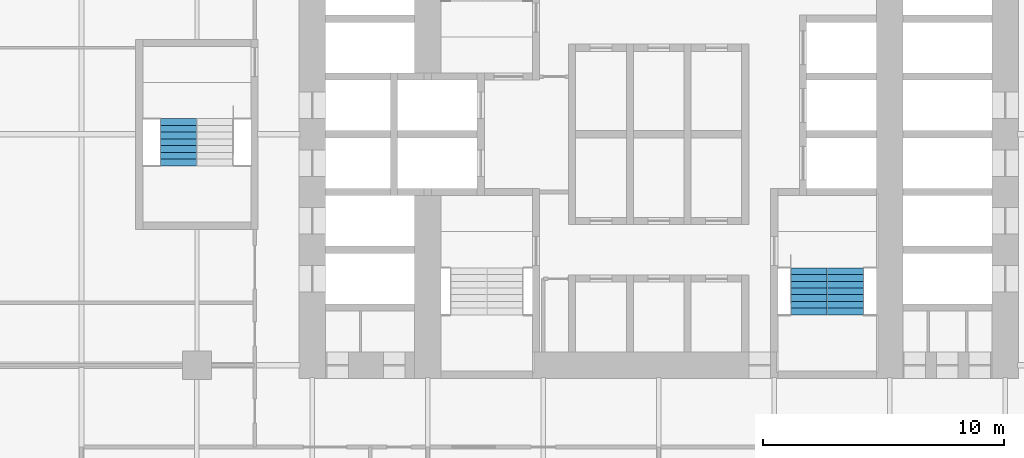
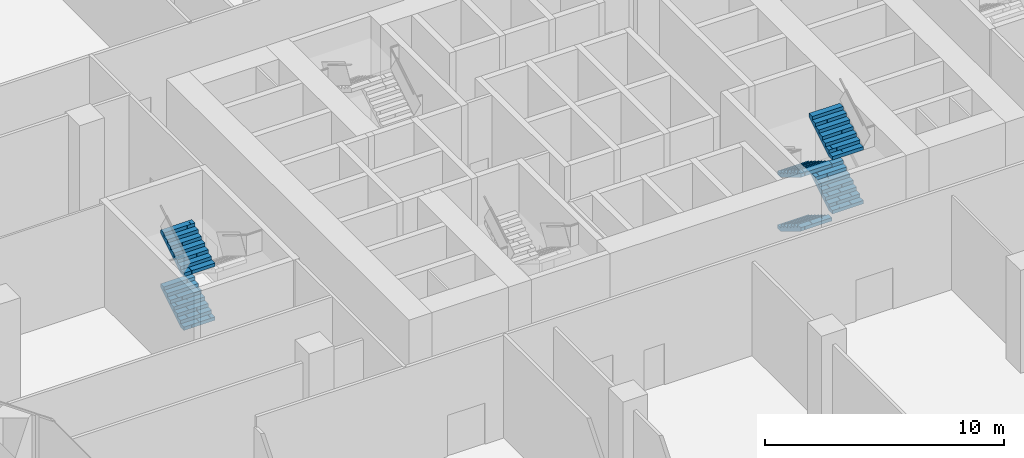
# One storey, part 24 of 29: 6 stair flights, 2 elements without a shape of their own.
"""IFC4 building model written with IfcOpenShell, lengths in metres."""

import ifcopenshell
import ifcopenshell.guid

model = None  # the IFC model being written
_history = None  # IfcOwnerHistory: only IFC2X3 demands one
_inside = {}  # id of a spatial element -> (the spatial element, [elements in it])
_under = {}  # id of a project, library or spatial element -> (it, [spatial elements below it])
_declared = {}  # id of a project -> (the project, [libraries it declares])
_typed = {}  # id of a type object -> (the type object, [elements of that type])
_made_of = {}  # id of a material, layer set ... -> (it, [elements and type objects made of it])


def new_model(schema):
    """Start an empty IFC model of exactly this schema.

    Asked for "IFC4X3", IfcOpenShell would pick the latest addendum, in which some entities
    have other attributes; the version numbers below select the first issue.
    IFC2X3 requires an IfcOwnerHistory on every rooted entity: one is made here for all.
    """
    global model, _history
    if schema == "IFC4X3":
        model = ifcopenshell.file(schema_version=(4, 3, 0, 0))
    else:
        model = ifcopenshell.file(schema=schema)
    _inside.clear()
    _under.clear()
    _declared.clear()
    _typed.clear()
    _made_of.clear()
    _history = None
    if model.schema == "IFC2X3":
        org = make("IfcOrganization", Name="unknown")
        user = make(
            "IfcPersonAndOrganization",
            ThePerson=make("IfcPerson", FamilyName="unknown"),
            TheOrganization=org,
        )
        app = make(
            "IfcApplication",
            ApplicationDeveloper=org,
            Version="unknown",
            ApplicationFullName="unknown",
            ApplicationIdentifier="unknown",
        )
        _history = make(
            "IfcOwnerHistory",
            OwningUser=user,
            OwningApplication=app,
            ChangeAction="ADDED",
            CreationDate=0,
        )
    return model


def make(cls, **values):
    """One entity of the class cls with the attributes given. An attribute that is None is left unset."""
    return model.create_entity(
        cls, **{name: value for name, value in values.items() if value is not None}
    )


def rooted(cls, **values):
    """An entity with a GlobalId (a new one), such as an element, a storey or a relation."""
    return make(cls, GlobalId=ifcopenshell.guid.new(), OwnerHistory=_history, **values)


def si_unit(unit_type, name, prefix=None):
    """IfcSIUnit, for example si_unit("LENGTHUNIT", "METRE", prefix="MILLI")."""
    return make("IfcSIUnit", UnitType=unit_type, Prefix=prefix, Name=name)


def assignment(units):
    """IfcUnitAssignment: the units of a project."""
    return None if units is None else make("IfcUnitAssignment", Units=units)


def point(xyz):
    """IfcCartesianPoint."""
    return None if xyz is None else make("IfcCartesianPoint", Coordinates=xyz)


def direction(xyz):
    """IfcDirection."""
    return None if xyz is None else make("IfcDirection", DirectionRatios=xyz)


def frame(location, z_axis=None, x_axis=None):
    """IfcAxis2Placement3D, a coordinate frame: its origin and axes. An axis left out is left unset."""
    return make(
        "IfcAxis2Placement3D",
        Location=point(location),
        Axis=direction(z_axis),
        RefDirection=direction(x_axis),
    )


def origin():
    """The frame at (0, 0, 0) with its axes left unset."""
    return frame((0.0, 0.0, 0.0))


def place(relative_to, where):
    """IfcLocalPlacement: puts the frame where relative to a parent placement (None: the world)."""
    return make(
        "IfcLocalPlacement", PlacementRelTo=relative_to, RelativePlacement=where
    )


def context(
    kind, dimensions, precision=None, world=None, true_north=None, identifier=None
):
    """IfcGeometricRepresentationContext, for example the 3D "Model" context."""
    return make(
        "IfcGeometricRepresentationContext",
        ContextIdentifier=identifier,
        ContextType=kind,
        CoordinateSpaceDimension=dimensions,
        Precision=precision,
        WorldCoordinateSystem=world,
        TrueNorth=true_north,
    )


def subcontext(parent, identifier, kind, view, scale=None):
    """IfcGeometricRepresentationSubContext, for example "Body" below "Model"."""
    return make(
        "IfcGeometricRepresentationSubContext",
        ContextIdentifier=identifier,
        ContextType=kind,
        ParentContext=parent,
        TargetScale=scale,
        TargetView=view,
    )


def project(units=None, contexts=None):
    """IfcProject with its units and contexts."""
    return rooted(
        "IfcProject",
        Name="project",
        RepresentationContexts=contexts,
        UnitsInContext=assignment(units),
    )


def spatial(cls, under=None, at=None, **own):
    """A site, building, storey or space (cls), placed at a placement, below another one or the project."""
    s = rooted(cls, ObjectPlacement=at, **own)
    if under is not None:
        _under.setdefault(under.id(), (under, []))[1].append(s)
    return s


def polyline(points):
    """IfcPolyline through the points."""
    return make("IfcPolyline", Points=[point(p) for p in points])


def outline(outer, holes=None, kind="AREA"):
    """IfcArbitraryClosedProfileDef: a profile drawn as a closed curve; with holes, ...WithVoids."""
    if holes is None:
        return make("IfcArbitraryClosedProfileDef", ProfileType=kind, OuterCurve=outer)
    return make(
        "IfcArbitraryProfileDefWithVoids",
        ProfileType=kind,
        OuterCurve=outer,
        InnerCurves=holes,
    )


def extrude(swept, where, along, depth):
    """IfcExtrudedAreaSolid: the profile swept, set in the frame where, extruded along a direction by depth."""
    return make(
        "IfcExtrudedAreaSolid",
        SweptArea=swept,
        Position=where,
        ExtrudedDirection=direction(along),
        Depth=depth,
    )


def shape(context_of_items, identifier, shape_type, items):
    """IfcShapeRepresentation: the items that make up one representation, for example the "Body"."""
    return make(
        "IfcShapeRepresentation",
        ContextOfItems=context_of_items,
        RepresentationIdentifier=identifier,
        RepresentationType=shape_type,
        Items=items,
    )


def material(Name=None, Category=None):
    """IfcMaterial."""
    return make("IfcMaterial", Name=Name, Category=Category)


def made_of(thing, what):
    """Note that an element or type object is made of a material, layer set ...; save() writes the relation."""
    if what is not None:
        _made_of.setdefault(what.id(), (what, []))[1].append(thing)
    return thing


def type_object(cls, material=None, **own):
    """A type object (cls), such as IfcWallType, which elements share."""
    return made_of(rooted(cls, **own), material)


def element(
    cls,
    number,
    at=None,
    inside=None,
    cuts=None,
    type_object=None,
    material=None,
    context=None,
    identifier="Body",
    shape_type=None,
    held_by="IfcProductDefinitionShape",
    body=None,
    shapes=None,
    **own,
):
    """One element of the class cls, such as IfcWall. Its Tag is "e" and its number.

    at: its placement. inside: the storey or other place that contains it. cuts: it is an
    opening in that element (IfcRelVoidsElement). A single representation is given by context,
    identifier, shape_type and body (its items); several are given by shapes. held_by: the class
    of the entity that holds the representations. save() writes the other relations.
    """
    e = rooted(cls, Tag="e%d" % number, ObjectPlacement=at, **own)
    if body is not None:
        shapes = [shape(context, identifier, shape_type, body)]
    if shapes is not None:
        e.Representation = make(held_by, Representations=shapes)
    if inside is not None:
        _inside.setdefault(inside.id(), (inside, []))[1].append(e)
    if cuts is not None:
        rooted(
            "IfcRelVoidsElement", RelatingBuildingElement=cuts, RelatedOpeningElement=e
        )
    if type_object is not None:
        _typed.setdefault(type_object.id(), (type_object, []))[1].append(e)
    return made_of(e, material)


def aggregate(whole, parts):
    """IfcRelAggregates: a whole, such as a stair, and the parts it consists of."""
    return rooted("IfcRelAggregates", RelatingObject=whole, RelatedObjects=parts)


def save(model, path):
    """Write the relations noted so far, then the file.

    IfcRelAggregates (storeys below a building ...), IfcRelContainedInSpatialStructure (elements
    in a storey), IfcRelDefinesByType, IfcRelAssociatesMaterial and IfcRelDeclares: one each for
    every whole, place, type object, material and project.
    """
    for whole, parts in _under.values():
        aggregate(whole, parts)
    for where, things in _inside.values():
        rooted(
            "IfcRelContainedInSpatialStructure",
            RelatedElements=things,
            RelatingStructure=where,
        )
    for kind, things in _typed.values():
        rooted("IfcRelDefinesByType", RelatedObjects=things, RelatingType=kind)
    for what, things in _made_of.values():
        rooted("IfcRelAssociatesMaterial", RelatedObjects=things, RelatingMaterial=what)
    for by, libraries in _declared.values():
        rooted("IfcRelDeclares", RelatingContext=by, RelatedDefinitions=libraries)
    model.write(path)


model = new_model("IFC4")

# Units and contexts
model_context = context("Model", 3, precision=1e-05, world=origin(), true_north=direction((0.0, 1.0)))
body_context = subcontext(model_context, "Body", "Model", "MODEL_VIEW")
ifc_project = project(units=[si_unit("LENGTHUNIT", "METRE"), si_unit("AREAUNIT", "SQUARE_METRE"), si_unit("VOLUMEUNIT", "CUBIC_METRE"), si_unit("PLANEANGLEUNIT", "RADIAN"), si_unit("MASSUNIT", "GRAM", prefix="KILO")], contexts=[model_context])

# Site, building, storey
site_placement = place(None, origin())
site = spatial("IfcSite", under=ifc_project, at=site_placement, CompositionType="ELEMENT")
building_placement = place(site_placement, origin())
building = spatial("IfcBuilding", under=site, at=building_placement, Name="Kolab Exchange Tower", CompositionType="ELEMENT")
storey_placement = place(building_placement, frame((0.0, 0.0, 55.39990234375)))
storey = spatial("IfcBuildingStorey", under=building, at=storey_placement, Name="L10", CompositionType="ELEMENT", Elevation=55.39990234375)

# Stair, stair flights
ifc_material = material(Name="Concrete C50/60", Category="concrete")
stair_type_1 = type_object("IfcStairType", Name="STAIR ST2 RISER 171.9", PredefinedType="DOUBLE_RETURN_STAIR", material=ifc_material)
stair_1_placement = place(storey_placement, origin())
stair_1 = element("IfcStair", 1, at=stair_1_placement, inside=storey, type_object=stair_type_1, Name="Stair 2", PredefinedType="DOUBLE_RETURN_STAIR")
stair_flight_type = type_object("IfcStairFlightType", Name="STAIR FLIGHT 1500 RISER 171.9", PredefinedType="STRAIGHT", material=ifc_material)
stair_flight_1_placement = place(storey_placement, frame((6.239990234375, -5.550048828125, 0.0), z_axis=(0.0, 0.0, 1.0), x_axis=(0.0, -1.0, 0.0)))
stair_flight_1 = element("IfcStairFlight", 2, at=stair_flight_1_placement, type_object=stair_flight_type, Name="ST2 flight 1", NumberOfRisers=8, NumberOfTreads=7, PredefinedType="STRAIGHT", RiserHeight=0.171875, TreadLength=0.28, context=body_context, shape_type="SweptSolid", body=[
    extrude(outline(polyline([(0.0, 0.0), (0.0, 0.171875), (0.280029296875, 0.171875), (0.280029296875, 0.34375), (0.56005859375, 0.34375), (0.56005859375, 0.515625), (0.840087890625, 0.515625), (0.840087890625, 0.6875), (1.1201171875, 0.6875), (1.1201171875, 0.859375), (1.39990234375, 0.859375), (1.39990234375, 1.03125), (1.679931640625, 1.03125), (1.679931640625, 1.203125), (1.9599609375, 1.203125), (1.9599609375, 1.375), (1.9599609375, 1.02734375), (0.28662109375, 0.0), (0.0, 0.0)])), frame((0.0, 0.75, 0.0), z_axis=(0.0, -1.0, 0.0), x_axis=(1.0, 0.0, 0.0)), (0.0, 0.0, 1.0), 0.185791015625),
    extrude(outline(polyline([(0.0, 0.0), (0.0, 0.171875), (0.280029296875, 0.171875), (0.280029296875, 0.34375), (0.56005859375, 0.34375), (0.56005859375, 0.515625), (0.840087890625, 0.515625), (0.840087890625, 0.6875), (1.1201171875, 0.6875), (1.1201171875, 0.859375), (1.39990234375, 0.859375), (1.39990234375, 1.03125), (1.679931640625, 1.03125), (1.679931640625, 1.203125), (1.9599609375, 1.203125), (1.9599609375, 1.375), (1.9599609375, 1.02734375), (0.28662109375, 0.0), (0.0, 0.0)])), frame((0.0, 0.562255859375, 0.0), z_axis=(0.0, -1.0, 0.0), x_axis=(1.0, 0.0, 0.0)), (0.0, 0.0, 1.0), 0.185791015625),
    extrude(outline(polyline([(0.0, 0.0), (0.0, 0.171875), (0.280029296875, 0.171875), (0.280029296875, 0.34375), (0.56005859375, 0.34375), (0.56005859375, 0.515625), (0.840087890625, 0.515625), (0.840087890625, 0.6875), (1.1201171875, 0.6875), (1.1201171875, 0.859375), (1.39990234375, 0.859375), (1.39990234375, 1.03125), (1.679931640625, 1.03125), (1.679931640625, 1.203125), (1.9599609375, 1.203125), (1.9599609375, 1.375), (1.9599609375, 1.02734375), (0.28662109375, 0.0), (0.0, 0.0)])), frame((0.0, 0.37451171875, 0.0), z_axis=(0.0, -1.0, 0.0), x_axis=(1.0, 0.0, 0.0)), (0.0, 0.0, 1.0), 0.185791015625),
    extrude(outline(polyline([(0.0, 0.0), (0.0, 0.171875), (0.280029296875, 0.171875), (0.280029296875, 0.34375), (0.56005859375, 0.34375), (0.56005859375, 0.515625), (0.840087890625, 0.515625), (0.840087890625, 0.6875), (1.1201171875, 0.6875), (1.1201171875, 0.859375), (1.39990234375, 0.859375), (1.39990234375, 1.03125), (1.679931640625, 1.03125), (1.679931640625, 1.203125), (1.9599609375, 1.203125), (1.9599609375, 1.375), (1.9599609375, 1.02734375), (0.28662109375, 0.0), (0.0, 0.0)])), frame((0.0, 0.186767578125, 0.0), z_axis=(0.0, -1.0, 0.0), x_axis=(1.0, 0.0, 0.0)), (0.0, 0.0, 1.0), 0.185791015625),
    extrude(outline(polyline([(0.0, 0.0), (0.0, 0.171875), (0.280029296875, 0.171875), (0.280029296875, 0.34375), (0.56005859375, 0.34375), (0.56005859375, 0.515625), (0.840087890625, 0.515625), (0.840087890625, 0.6875), (1.1201171875, 0.6875), (1.1201171875, 0.859375), (1.39990234375, 0.859375), (1.39990234375, 1.03125), (1.679931640625, 1.03125), (1.679931640625, 1.203125), (1.9599609375, 1.203125), (1.9599609375, 1.375), (1.9599609375, 1.02734375), (0.28662109375, 0.0), (0.0, 0.0)])), frame((0.0, -0.0009765625, 0.0), z_axis=(0.0, -1.0, 0.0), x_axis=(1.0, 0.0, 0.0)), (0.0, 0.0, 1.0), 0.185791015625),
    extrude(outline(polyline([(0.0, 0.0), (0.0, 0.171875), (0.280029296875, 0.171875), (0.280029296875, 0.34375), (0.56005859375, 0.34375), (0.56005859375, 0.515625), (0.840087890625, 0.515625), (0.840087890625, 0.6875), (1.1201171875, 0.6875), (1.1201171875, 0.859375), (1.39990234375, 0.859375), (1.39990234375, 1.03125), (1.679931640625, 1.03125), (1.679931640625, 1.203125), (1.9599609375, 1.203125), (1.9599609375, 1.375), (1.9599609375, 1.02734375), (0.28662109375, 0.0), (0.0, 0.0)])), frame((0.0, -0.188720703125, 0.0), z_axis=(0.0, -1.0, 0.0), x_axis=(1.0, 0.0, 0.0)), (0.0, 0.0, 1.0), 0.185791015625),
    extrude(outline(polyline([(0.0, 0.0), (0.0, 0.171875), (0.280029296875, 0.171875), (0.280029296875, 0.34375), (0.56005859375, 0.34375), (0.56005859375, 0.515625), (0.840087890625, 0.515625), (0.840087890625, 0.6875), (1.1201171875, 0.6875), (1.1201171875, 0.859375), (1.39990234375, 0.859375), (1.39990234375, 1.03125), (1.679931640625, 1.03125), (1.679931640625, 1.203125), (1.9599609375, 1.203125), (1.9599609375, 1.375), (1.9599609375, 1.02734375), (0.28662109375, 0.0), (0.0, 0.0)])), frame((0.0, -0.37646484375, 0.0), z_axis=(0.0, -1.0, 0.0), x_axis=(1.0, 0.0, 0.0)), (0.0, 0.0, 1.0), 0.185791015625),
    extrude(outline(polyline([(0.0, 0.0), (0.0, 0.171875), (0.280029296875, 0.171875), (0.280029296875, 0.34375), (0.56005859375, 0.34375), (0.56005859375, 0.515625), (0.840087890625, 0.515625), (0.840087890625, 0.6875), (1.1201171875, 0.6875), (1.1201171875, 0.859375), (1.39990234375, 0.859375), (1.39990234375, 1.03125), (1.679931640625, 1.03125), (1.679931640625, 1.203125), (1.9599609375, 1.203125), (1.9599609375, 1.375), (1.9599609375, 1.02734375), (0.28662109375, 0.0), (0.0, 0.0)])), frame((0.0, -0.564208984375, 0.0), z_axis=(0.0, -1.0, 0.0), x_axis=(1.0, 0.0, 0.0)), (0.0, 0.0, 1.0), 0.185791015625),
])
stair_flight_2_placement = place(storey_placement, frame((7.760009765625, -7.510009765625, 1.375), z_axis=(0.0, 0.0, 1.0), x_axis=(0.0, 1.0, 0.0)))
stair_flight_2 = element("IfcStairFlight", 3, at=stair_flight_2_placement, type_object=stair_flight_type, Name="ST2 flight 2", NumberOfRisers=8, NumberOfTreads=7, PredefinedType="STRAIGHT", RiserHeight=0.171875, TreadLength=0.28, context=body_context, shape_type="SweptSolid", body=[
    extrude(outline(polyline([(0.0, 0.0), (0.0, 0.171875), (0.280029296875, 0.171875), (0.280029296875, 0.34375), (0.56005859375, 0.34375), (0.56005859375, 0.515625), (0.840087890625, 0.515625), (0.840087890625, 0.6875), (1.1201171875, 0.6875), (1.1201171875, 0.859375), (1.39990234375, 0.859375), (1.39990234375, 1.03125), (1.679931640625, 1.03125), (1.679931640625, 1.203125), (1.9599609375, 1.203125), (1.9599609375, 1.375), (1.9599609375, 1.02734375), (0.28662109375, 0.0), (0.0, 0.0)])), frame((0.0, 0.75, 0.0), z_axis=(0.0, -1.0, 0.0), x_axis=(1.0, 0.0, 0.0)), (0.0, 0.0, 1.0), 0.185791015625),
    extrude(outline(polyline([(0.0, 0.0), (0.0, 0.171875), (0.280029296875, 0.171875), (0.280029296875, 0.34375), (0.56005859375, 0.34375), (0.56005859375, 0.515625), (0.840087890625, 0.515625), (0.840087890625, 0.6875), (1.1201171875, 0.6875), (1.1201171875, 0.859375), (1.39990234375, 0.859375), (1.39990234375, 1.03125), (1.679931640625, 1.03125), (1.679931640625, 1.203125), (1.9599609375, 1.203125), (1.9599609375, 1.375), (1.9599609375, 1.02734375), (0.28662109375, 0.0), (0.0, 0.0)])), frame((0.0, 0.562255859375, 0.0), z_axis=(0.0, -1.0, 0.0), x_axis=(1.0, 0.0, 0.0)), (0.0, 0.0, 1.0), 0.185791015625),
    extrude(outline(polyline([(0.0, 0.0), (0.0, 0.171875), (0.280029296875, 0.171875), (0.280029296875, 0.34375), (0.56005859375, 0.34375), (0.56005859375, 0.515625), (0.840087890625, 0.515625), (0.840087890625, 0.6875), (1.1201171875, 0.6875), (1.1201171875, 0.859375), (1.39990234375, 0.859375), (1.39990234375, 1.03125), (1.679931640625, 1.03125), (1.679931640625, 1.203125), (1.9599609375, 1.203125), (1.9599609375, 1.375), (1.9599609375, 1.02734375), (0.28662109375, 0.0), (0.0, 0.0)])), frame((0.0, 0.37451171875, 0.0), z_axis=(0.0, -1.0, 0.0), x_axis=(1.0, 0.0, 0.0)), (0.0, 0.0, 1.0), 0.185791015625),
    extrude(outline(polyline([(0.0, 0.0), (0.0, 0.171875), (0.280029296875, 0.171875), (0.280029296875, 0.34375), (0.56005859375, 0.34375), (0.56005859375, 0.515625), (0.840087890625, 0.515625), (0.840087890625, 0.6875), (1.1201171875, 0.6875), (1.1201171875, 0.859375), (1.39990234375, 0.859375), (1.39990234375, 1.03125), (1.679931640625, 1.03125), (1.679931640625, 1.203125), (1.9599609375, 1.203125), (1.9599609375, 1.375), (1.9599609375, 1.02734375), (0.28662109375, 0.0), (0.0, 0.0)])), frame((0.0, 0.186767578125, 0.0), z_axis=(0.0, -1.0, 0.0), x_axis=(1.0, 0.0, 0.0)), (0.0, 0.0, 1.0), 0.185791015625),
    extrude(outline(polyline([(0.0, 0.0), (0.0, 0.171875), (0.280029296875, 0.171875), (0.280029296875, 0.34375), (0.56005859375, 0.34375), (0.56005859375, 0.515625), (0.840087890625, 0.515625), (0.840087890625, 0.6875), (1.1201171875, 0.6875), (1.1201171875, 0.859375), (1.39990234375, 0.859375), (1.39990234375, 1.03125), (1.679931640625, 1.03125), (1.679931640625, 1.203125), (1.9599609375, 1.203125), (1.9599609375, 1.375), (1.9599609375, 1.02734375), (0.28662109375, 0.0), (0.0, 0.0)])), frame((0.0, -0.0009765625, 0.0), z_axis=(0.0, -1.0, 0.0), x_axis=(1.0, 0.0, 0.0)), (0.0, 0.0, 1.0), 0.185791015625),
    extrude(outline(polyline([(0.0, 0.0), (0.0, 0.171875), (0.280029296875, 0.171875), (0.280029296875, 0.34375), (0.56005859375, 0.34375), (0.56005859375, 0.515625), (0.840087890625, 0.515625), (0.840087890625, 0.6875), (1.1201171875, 0.6875), (1.1201171875, 0.859375), (1.39990234375, 0.859375), (1.39990234375, 1.03125), (1.679931640625, 1.03125), (1.679931640625, 1.203125), (1.9599609375, 1.203125), (1.9599609375, 1.375), (1.9599609375, 1.02734375), (0.28662109375, 0.0), (0.0, 0.0)])), frame((0.0, -0.188720703125, 0.0), z_axis=(0.0, -1.0, 0.0), x_axis=(1.0, 0.0, 0.0)), (0.0, 0.0, 1.0), 0.185791015625),
    extrude(outline(polyline([(0.0, 0.0), (0.0, 0.171875), (0.280029296875, 0.171875), (0.280029296875, 0.34375), (0.56005859375, 0.34375), (0.56005859375, 0.515625), (0.840087890625, 0.515625), (0.840087890625, 0.6875), (1.1201171875, 0.6875), (1.1201171875, 0.859375), (1.39990234375, 0.859375), (1.39990234375, 1.03125), (1.679931640625, 1.03125), (1.679931640625, 1.203125), (1.9599609375, 1.203125), (1.9599609375, 1.375), (1.9599609375, 1.02734375), (0.28662109375, 0.0), (0.0, 0.0)])), frame((0.0, -0.37646484375, 0.0), z_axis=(0.0, -1.0, 0.0), x_axis=(1.0, 0.0, 0.0)), (0.0, 0.0, 1.0), 0.185791015625),
    extrude(outline(polyline([(0.0, 0.0), (0.0, 0.171875), (0.280029296875, 0.171875), (0.280029296875, 0.34375), (0.56005859375, 0.34375), (0.56005859375, 0.515625), (0.840087890625, 0.515625), (0.840087890625, 0.6875), (1.1201171875, 0.6875), (1.1201171875, 0.859375), (1.39990234375, 0.859375), (1.39990234375, 1.03125), (1.679931640625, 1.03125), (1.679931640625, 1.203125), (1.9599609375, 1.203125), (1.9599609375, 1.375), (1.9599609375, 1.02734375), (0.28662109375, 0.0), (0.0, 0.0)])), frame((0.0, -0.564208984375, 0.0), z_axis=(0.0, -1.0, 0.0), x_axis=(1.0, 0.0, 0.0)), (0.0, 0.0, 1.0), 0.185791015625),
])
stair_flight_3_placement = place(storey_placement, frame((6.239990234375, -5.550048828125, 2.75), z_axis=(0.0, 0.0, 1.0), x_axis=(0.0, -1.0, 0.0)))
stair_flight_3 = element("IfcStairFlight", 4, at=stair_flight_3_placement, type_object=stair_flight_type, Name="ST2 flight 3", NumberOfRisers=8, NumberOfTreads=7, PredefinedType="STRAIGHT", RiserHeight=0.171875, TreadLength=0.28, context=body_context, shape_type="SweptSolid", body=[
    extrude(outline(polyline([(0.0, 0.0), (0.0, 0.171875), (0.280029296875, 0.171875), (0.280029296875, 0.34375), (0.56005859375, 0.34375), (0.56005859375, 0.515625), (0.840087890625, 0.515625), (0.840087890625, 0.6875), (1.1201171875, 0.6875), (1.1201171875, 0.859375), (1.39990234375, 0.859375), (1.39990234375, 1.03125), (1.679931640625, 1.03125), (1.679931640625, 1.203125), (1.9599609375, 1.203125), (1.9599609375, 1.375), (1.9599609375, 1.02734375), (0.28662109375, 0.0), (0.0, 0.0)])), frame((0.0, 0.75, 0.0), z_axis=(0.0, -1.0, 0.0), x_axis=(1.0, 0.0, 0.0)), (0.0, 0.0, 1.0), 0.185791015625),
    extrude(outline(polyline([(0.0, 0.0), (0.0, 0.171875), (0.280029296875, 0.171875), (0.280029296875, 0.34375), (0.56005859375, 0.34375), (0.56005859375, 0.515625), (0.840087890625, 0.515625), (0.840087890625, 0.6875), (1.1201171875, 0.6875), (1.1201171875, 0.859375), (1.39990234375, 0.859375), (1.39990234375, 1.03125), (1.679931640625, 1.03125), (1.679931640625, 1.203125), (1.9599609375, 1.203125), (1.9599609375, 1.375), (1.9599609375, 1.02734375), (0.28662109375, 0.0), (0.0, 0.0)])), frame((0.0, 0.562255859375, 0.0), z_axis=(0.0, -1.0, 0.0), x_axis=(1.0, 0.0, 0.0)), (0.0, 0.0, 1.0), 0.185791015625),
    extrude(outline(polyline([(0.0, 0.0), (0.0, 0.171875), (0.280029296875, 0.171875), (0.280029296875, 0.34375), (0.56005859375, 0.34375), (0.56005859375, 0.515625), (0.840087890625, 0.515625), (0.840087890625, 0.6875), (1.1201171875, 0.6875), (1.1201171875, 0.859375), (1.39990234375, 0.859375), (1.39990234375, 1.03125), (1.679931640625, 1.03125), (1.679931640625, 1.203125), (1.9599609375, 1.203125), (1.9599609375, 1.375), (1.9599609375, 1.02734375), (0.28662109375, 0.0), (0.0, 0.0)])), frame((0.0, 0.37451171875, 0.0), z_axis=(0.0, -1.0, 0.0), x_axis=(1.0, 0.0, 0.0)), (0.0, 0.0, 1.0), 0.185791015625),
    extrude(outline(polyline([(0.0, 0.0), (0.0, 0.171875), (0.280029296875, 0.171875), (0.280029296875, 0.34375), (0.56005859375, 0.34375), (0.56005859375, 0.515625), (0.840087890625, 0.515625), (0.840087890625, 0.6875), (1.1201171875, 0.6875), (1.1201171875, 0.859375), (1.39990234375, 0.859375), (1.39990234375, 1.03125), (1.679931640625, 1.03125), (1.679931640625, 1.203125), (1.9599609375, 1.203125), (1.9599609375, 1.375), (1.9599609375, 1.02734375), (0.28662109375, 0.0), (0.0, 0.0)])), frame((0.0, 0.186767578125, 0.0), z_axis=(0.0, -1.0, 0.0), x_axis=(1.0, 0.0, 0.0)), (0.0, 0.0, 1.0), 0.185791015625),
    extrude(outline(polyline([(0.0, 0.0), (0.0, 0.171875), (0.280029296875, 0.171875), (0.280029296875, 0.34375), (0.56005859375, 0.34375), (0.56005859375, 0.515625), (0.840087890625, 0.515625), (0.840087890625, 0.6875), (1.1201171875, 0.6875), (1.1201171875, 0.859375), (1.39990234375, 0.859375), (1.39990234375, 1.03125), (1.679931640625, 1.03125), (1.679931640625, 1.203125), (1.9599609375, 1.203125), (1.9599609375, 1.375), (1.9599609375, 1.02734375), (0.28662109375, 0.0), (0.0, 0.0)])), frame((0.0, -0.0009765625, 0.0), z_axis=(0.0, -1.0, 0.0), x_axis=(1.0, 0.0, 0.0)), (0.0, 0.0, 1.0), 0.185791015625),
    extrude(outline(polyline([(0.0, 0.0), (0.0, 0.171875), (0.280029296875, 0.171875), (0.280029296875, 0.34375), (0.56005859375, 0.34375), (0.56005859375, 0.515625), (0.840087890625, 0.515625), (0.840087890625, 0.6875), (1.1201171875, 0.6875), (1.1201171875, 0.859375), (1.39990234375, 0.859375), (1.39990234375, 1.03125), (1.679931640625, 1.03125), (1.679931640625, 1.203125), (1.9599609375, 1.203125), (1.9599609375, 1.375), (1.9599609375, 1.02734375), (0.28662109375, 0.0), (0.0, 0.0)])), frame((0.0, -0.188720703125, 0.0), z_axis=(0.0, -1.0, 0.0), x_axis=(1.0, 0.0, 0.0)), (0.0, 0.0, 1.0), 0.185791015625),
    extrude(outline(polyline([(0.0, 0.0), (0.0, 0.171875), (0.280029296875, 0.171875), (0.280029296875, 0.34375), (0.56005859375, 0.34375), (0.56005859375, 0.515625), (0.840087890625, 0.515625), (0.840087890625, 0.6875), (1.1201171875, 0.6875), (1.1201171875, 0.859375), (1.39990234375, 0.859375), (1.39990234375, 1.03125), (1.679931640625, 1.03125), (1.679931640625, 1.203125), (1.9599609375, 1.203125), (1.9599609375, 1.375), (1.9599609375, 1.02734375), (0.28662109375, 0.0), (0.0, 0.0)])), frame((0.0, -0.37646484375, 0.0), z_axis=(0.0, -1.0, 0.0), x_axis=(1.0, 0.0, 0.0)), (0.0, 0.0, 1.0), 0.185791015625),
    extrude(outline(polyline([(0.0, 0.0), (0.0, 0.171875), (0.280029296875, 0.171875), (0.280029296875, 0.34375), (0.56005859375, 0.34375), (0.56005859375, 0.515625), (0.840087890625, 0.515625), (0.840087890625, 0.6875), (1.1201171875, 0.6875), (1.1201171875, 0.859375), (1.39990234375, 0.859375), (1.39990234375, 1.03125), (1.679931640625, 1.03125), (1.679931640625, 1.203125), (1.9599609375, 1.203125), (1.9599609375, 1.375), (1.9599609375, 1.02734375), (0.28662109375, 0.0), (0.0, 0.0)])), frame((0.0, -0.564208984375, 0.0), z_axis=(0.0, -1.0, 0.0), x_axis=(1.0, 0.0, 0.0)), (0.0, 0.0, 1.0), 0.185791015625),
])
stair_flight_4_placement = place(storey_placement, frame((7.760009765625, -7.510009765625, 4.125), z_axis=(0.0, 0.0, 1.0), x_axis=(0.0, 1.0, 0.0)))
stair_flight_4 = element("IfcStairFlight", 5, at=stair_flight_4_placement, type_object=stair_flight_type, Name="ST2 flight 4", NumberOfRisers=8, NumberOfTreads=7, PredefinedType="STRAIGHT", RiserHeight=0.171875, TreadLength=0.28, context=body_context, shape_type="SweptSolid", body=[
    extrude(outline(polyline([(0.0, 0.0), (0.0, 0.171875), (0.280029296875, 0.171875), (0.280029296875, 0.34375), (0.56005859375, 0.34375), (0.56005859375, 0.515625), (0.840087890625, 0.515625), (0.840087890625, 0.6875), (1.1201171875, 0.6875), (1.1201171875, 0.859375), (1.39990234375, 0.859375), (1.39990234375, 1.03125), (1.679931640625, 1.03125), (1.679931640625, 1.203125), (1.9599609375, 1.203125), (1.9599609375, 1.375), (1.9599609375, 1.02734375), (0.28662109375, 0.0), (0.0, 0.0)])), frame((0.0, 0.75, 0.0), z_axis=(0.0, -1.0, 0.0), x_axis=(1.0, 0.0, 0.0)), (0.0, 0.0, 1.0), 0.185791015625),
    extrude(outline(polyline([(0.0, 0.0), (0.0, 0.171875), (0.280029296875, 0.171875), (0.280029296875, 0.34375), (0.56005859375, 0.34375), (0.56005859375, 0.515625), (0.840087890625, 0.515625), (0.840087890625, 0.6875), (1.1201171875, 0.6875), (1.1201171875, 0.859375), (1.39990234375, 0.859375), (1.39990234375, 1.03125), (1.679931640625, 1.03125), (1.679931640625, 1.203125), (1.9599609375, 1.203125), (1.9599609375, 1.375), (1.9599609375, 1.02734375), (0.28662109375, 0.0), (0.0, 0.0)])), frame((0.0, 0.562255859375, 0.0), z_axis=(0.0, -1.0, 0.0), x_axis=(1.0, 0.0, 0.0)), (0.0, 0.0, 1.0), 0.185791015625),
    extrude(outline(polyline([(0.0, 0.0), (0.0, 0.171875), (0.280029296875, 0.171875), (0.280029296875, 0.34375), (0.56005859375, 0.34375), (0.56005859375, 0.515625), (0.840087890625, 0.515625), (0.840087890625, 0.6875), (1.1201171875, 0.6875), (1.1201171875, 0.859375), (1.39990234375, 0.859375), (1.39990234375, 1.03125), (1.679931640625, 1.03125), (1.679931640625, 1.203125), (1.9599609375, 1.203125), (1.9599609375, 1.375), (1.9599609375, 1.02734375), (0.28662109375, 0.0), (0.0, 0.0)])), frame((0.0, 0.37451171875, 0.0), z_axis=(0.0, -1.0, 0.0), x_axis=(1.0, 0.0, 0.0)), (0.0, 0.0, 1.0), 0.185791015625),
    extrude(outline(polyline([(0.0, 0.0), (0.0, 0.171875), (0.280029296875, 0.171875), (0.280029296875, 0.34375), (0.56005859375, 0.34375), (0.56005859375, 0.515625), (0.840087890625, 0.515625), (0.840087890625, 0.6875), (1.1201171875, 0.6875), (1.1201171875, 0.859375), (1.39990234375, 0.859375), (1.39990234375, 1.03125), (1.679931640625, 1.03125), (1.679931640625, 1.203125), (1.9599609375, 1.203125), (1.9599609375, 1.375), (1.9599609375, 1.02734375), (0.28662109375, 0.0), (0.0, 0.0)])), frame((0.0, 0.186767578125, 0.0), z_axis=(0.0, -1.0, 0.0), x_axis=(1.0, 0.0, 0.0)), (0.0, 0.0, 1.0), 0.185791015625),
    extrude(outline(polyline([(0.0, 0.0), (0.0, 0.171875), (0.280029296875, 0.171875), (0.280029296875, 0.34375), (0.56005859375, 0.34375), (0.56005859375, 0.515625), (0.840087890625, 0.515625), (0.840087890625, 0.6875), (1.1201171875, 0.6875), (1.1201171875, 0.859375), (1.39990234375, 0.859375), (1.39990234375, 1.03125), (1.679931640625, 1.03125), (1.679931640625, 1.203125), (1.9599609375, 1.203125), (1.9599609375, 1.375), (1.9599609375, 1.02734375), (0.28662109375, 0.0), (0.0, 0.0)])), frame((0.0, -0.0009765625, 0.0), z_axis=(0.0, -1.0, 0.0), x_axis=(1.0, 0.0, 0.0)), (0.0, 0.0, 1.0), 0.185791015625),
    extrude(outline(polyline([(0.0, 0.0), (0.0, 0.171875), (0.280029296875, 0.171875), (0.280029296875, 0.34375), (0.56005859375, 0.34375), (0.56005859375, 0.515625), (0.840087890625, 0.515625), (0.840087890625, 0.6875), (1.1201171875, 0.6875), (1.1201171875, 0.859375), (1.39990234375, 0.859375), (1.39990234375, 1.03125), (1.679931640625, 1.03125), (1.679931640625, 1.203125), (1.9599609375, 1.203125), (1.9599609375, 1.375), (1.9599609375, 1.02734375), (0.28662109375, 0.0), (0.0, 0.0)])), frame((0.0, -0.188720703125, 0.0), z_axis=(0.0, -1.0, 0.0), x_axis=(1.0, 0.0, 0.0)), (0.0, 0.0, 1.0), 0.185791015625),
    extrude(outline(polyline([(0.0, 0.0), (0.0, 0.171875), (0.280029296875, 0.171875), (0.280029296875, 0.34375), (0.56005859375, 0.34375), (0.56005859375, 0.515625), (0.840087890625, 0.515625), (0.840087890625, 0.6875), (1.1201171875, 0.6875), (1.1201171875, 0.859375), (1.39990234375, 0.859375), (1.39990234375, 1.03125), (1.679931640625, 1.03125), (1.679931640625, 1.203125), (1.9599609375, 1.203125), (1.9599609375, 1.375), (1.9599609375, 1.02734375), (0.28662109375, 0.0), (0.0, 0.0)])), frame((0.0, -0.37646484375, 0.0), z_axis=(0.0, -1.0, 0.0), x_axis=(1.0, 0.0, 0.0)), (0.0, 0.0, 1.0), 0.185791015625),
    extrude(outline(polyline([(0.0, 0.0), (0.0, 0.171875), (0.280029296875, 0.171875), (0.280029296875, 0.34375), (0.56005859375, 0.34375), (0.56005859375, 0.515625), (0.840087890625, 0.515625), (0.840087890625, 0.6875), (1.1201171875, 0.6875), (1.1201171875, 0.859375), (1.39990234375, 0.859375), (1.39990234375, 1.03125), (1.679931640625, 1.03125), (1.679931640625, 1.203125), (1.9599609375, 1.203125), (1.9599609375, 1.375), (1.9599609375, 1.02734375), (0.28662109375, 0.0), (0.0, 0.0)])), frame((0.0, -0.564208984375, 0.0), z_axis=(0.0, -1.0, 0.0), x_axis=(1.0, 0.0, 0.0)), (0.0, 0.0, 1.0), 0.185791015625),
])
aggregate(stair_1, [stair_flight_1, stair_flight_2, stair_flight_3, stair_flight_4])

stair_type_2 = type_object("IfcStairType", Name="STAIR ST5 RISER 171.9", PredefinedType="DOUBLE_RETURN_STAIR", material=ifc_material)
stair_2_placement = place(storey_placement, origin())
stair_2 = element("IfcStair", 6, at=stair_2_placement, inside=storey, type_object=stair_type_2, Name="Stair 5", PredefinedType="DOUBLE_RETURN_STAIR")
stair_flight_5_placement = place(storey_placement, frame((-19.9599609375, -1.31005859375, 1.375), z_axis=(0.0, 0.0, 1.0), x_axis=(0.0, 1.0, 0.0)))
stair_flight_5 = element("IfcStairFlight", 7, at=stair_flight_5_placement, type_object=stair_flight_type, Name="ST5 flight 2", NumberOfRisers=8, NumberOfTreads=7, PredefinedType="STRAIGHT", RiserHeight=0.171875, TreadLength=0.28, context=body_context, shape_type="SweptSolid", body=[
    extrude(outline(polyline([(0.0, 0.0), (0.0, 0.171875), (0.280029296875, 0.171875), (0.280029296875, 0.34375), (0.56005859375, 0.34375), (0.56005859375, 0.515625), (0.840087890625, 0.515625), (0.840087890625, 0.6875), (1.1201171875, 0.6875), (1.1201171875, 0.859375), (1.39990234375, 0.859375), (1.39990234375, 1.03125), (1.679931640625, 1.03125), (1.679931640625, 1.203125), (1.9599609375, 1.203125), (1.9599609375, 1.375), (1.9599609375, 1.02734375), (0.28662109375, 0.0), (0.0, 0.0)])), frame((0.0, 0.75, 0.0), z_axis=(0.0, -1.0, 0.0), x_axis=(1.0, 0.0, 0.0)), (0.0, 0.0, 1.0), 0.185791015625),
    extrude(outline(polyline([(0.0, 0.0), (0.0, 0.171875), (0.280029296875, 0.171875), (0.280029296875, 0.34375), (0.56005859375, 0.34375), (0.56005859375, 0.515625), (0.840087890625, 0.515625), (0.840087890625, 0.6875), (1.1201171875, 0.6875), (1.1201171875, 0.859375), (1.39990234375, 0.859375), (1.39990234375, 1.03125), (1.679931640625, 1.03125), (1.679931640625, 1.203125), (1.9599609375, 1.203125), (1.9599609375, 1.375), (1.9599609375, 1.02734375), (0.28662109375, 0.0), (0.0, 0.0)])), frame((0.0, 0.562255859375, 0.0), z_axis=(0.0, -1.0, 0.0), x_axis=(1.0, 0.0, 0.0)), (0.0, 0.0, 1.0), 0.185791015625),
    extrude(outline(polyline([(0.0, 0.0), (0.0, 0.171875), (0.280029296875, 0.171875), (0.280029296875, 0.34375), (0.56005859375, 0.34375), (0.56005859375, 0.515625), (0.840087890625, 0.515625), (0.840087890625, 0.6875), (1.1201171875, 0.6875), (1.1201171875, 0.859375), (1.39990234375, 0.859375), (1.39990234375, 1.03125), (1.679931640625, 1.03125), (1.679931640625, 1.203125), (1.9599609375, 1.203125), (1.9599609375, 1.375), (1.9599609375, 1.02734375), (0.28662109375, 0.0), (0.0, 0.0)])), frame((0.0, 0.37451171875, 0.0), z_axis=(0.0, -1.0, 0.0), x_axis=(1.0, 0.0, 0.0)), (0.0, 0.0, 1.0), 0.185791015625),
    extrude(outline(polyline([(0.0, 0.0), (0.0, 0.171875), (0.280029296875, 0.171875), (0.280029296875, 0.34375), (0.56005859375, 0.34375), (0.56005859375, 0.515625), (0.840087890625, 0.515625), (0.840087890625, 0.6875), (1.1201171875, 0.6875), (1.1201171875, 0.859375), (1.39990234375, 0.859375), (1.39990234375, 1.03125), (1.679931640625, 1.03125), (1.679931640625, 1.203125), (1.9599609375, 1.203125), (1.9599609375, 1.375), (1.9599609375, 1.02734375), (0.28662109375, 0.0), (0.0, 0.0)])), frame((0.0, 0.186767578125, 0.0), z_axis=(0.0, -1.0, 0.0), x_axis=(1.0, 0.0, 0.0)), (0.0, 0.0, 1.0), 0.185791015625),
    extrude(outline(polyline([(0.0, 0.0), (0.0, 0.171875), (0.280029296875, 0.171875), (0.280029296875, 0.34375), (0.56005859375, 0.34375), (0.56005859375, 0.515625), (0.840087890625, 0.515625), (0.840087890625, 0.6875), (1.1201171875, 0.6875), (1.1201171875, 0.859375), (1.39990234375, 0.859375), (1.39990234375, 1.03125), (1.679931640625, 1.03125), (1.679931640625, 1.203125), (1.9599609375, 1.203125), (1.9599609375, 1.375), (1.9599609375, 1.02734375), (0.28662109375, 0.0), (0.0, 0.0)])), frame((0.0, -0.0009765625, 0.0), z_axis=(0.0, -1.0, 0.0), x_axis=(1.0, 0.0, 0.0)), (0.0, 0.0, 1.0), 0.185791015625),
    extrude(outline(polyline([(0.0, 0.0), (0.0, 0.171875), (0.280029296875, 0.171875), (0.280029296875, 0.34375), (0.56005859375, 0.34375), (0.56005859375, 0.515625), (0.840087890625, 0.515625), (0.840087890625, 0.6875), (1.1201171875, 0.6875), (1.1201171875, 0.859375), (1.39990234375, 0.859375), (1.39990234375, 1.03125), (1.679931640625, 1.03125), (1.679931640625, 1.203125), (1.9599609375, 1.203125), (1.9599609375, 1.375), (1.9599609375, 1.02734375), (0.28662109375, 0.0), (0.0, 0.0)])), frame((0.0, -0.188720703125, 0.0), z_axis=(0.0, -1.0, 0.0), x_axis=(1.0, 0.0, 0.0)), (0.0, 0.0, 1.0), 0.185791015625),
    extrude(outline(polyline([(0.0, 0.0), (0.0, 0.171875), (0.280029296875, 0.171875), (0.280029296875, 0.34375), (0.56005859375, 0.34375), (0.56005859375, 0.515625), (0.840087890625, 0.515625), (0.840087890625, 0.6875), (1.1201171875, 0.6875), (1.1201171875, 0.859375), (1.39990234375, 0.859375), (1.39990234375, 1.03125), (1.679931640625, 1.03125), (1.679931640625, 1.203125), (1.9599609375, 1.203125), (1.9599609375, 1.375), (1.9599609375, 1.02734375), (0.28662109375, 0.0), (0.0, 0.0)])), frame((0.0, -0.37646484375, 0.0), z_axis=(0.0, -1.0, 0.0), x_axis=(1.0, 0.0, 0.0)), (0.0, 0.0, 1.0), 0.185791015625),
    extrude(outline(polyline([(0.0, 0.0), (0.0, 0.171875), (0.280029296875, 0.171875), (0.280029296875, 0.34375), (0.56005859375, 0.34375), (0.56005859375, 0.515625), (0.840087890625, 0.515625), (0.840087890625, 0.6875), (1.1201171875, 0.6875), (1.1201171875, 0.859375), (1.39990234375, 0.859375), (1.39990234375, 1.03125), (1.679931640625, 1.03125), (1.679931640625, 1.203125), (1.9599609375, 1.203125), (1.9599609375, 1.375), (1.9599609375, 1.02734375), (0.28662109375, 0.0), (0.0, 0.0)])), frame((0.0, -0.564208984375, 0.0), z_axis=(0.0, -1.0, 0.0), x_axis=(1.0, 0.0, 0.0)), (0.0, 0.0, 1.0), 0.185791015625),
])
stair_flight_6_placement = place(storey_placement, frame((-19.9599609375, -1.31005859375, 4.125), z_axis=(0.0, 0.0, 1.0), x_axis=(0.0, 1.0, 0.0)))
stair_flight_6 = element("IfcStairFlight", 8, at=stair_flight_6_placement, type_object=stair_flight_type, Name="ST5 flight 4", NumberOfRisers=8, NumberOfTreads=7, PredefinedType="STRAIGHT", RiserHeight=0.171875, TreadLength=0.28, context=body_context, shape_type="SweptSolid", body=[
    extrude(outline(polyline([(0.0, 0.0), (0.0, 0.171875), (0.280029296875, 0.171875), (0.280029296875, 0.34375), (0.56005859375, 0.34375), (0.56005859375, 0.515625), (0.840087890625, 0.515625), (0.840087890625, 0.6875), (1.1201171875, 0.6875), (1.1201171875, 0.859375), (1.39990234375, 0.859375), (1.39990234375, 1.03125), (1.679931640625, 1.03125), (1.679931640625, 1.203125), (1.9599609375, 1.203125), (1.9599609375, 1.375), (1.9599609375, 1.02734375), (0.28662109375, 0.0), (0.0, 0.0)])), frame((0.0, 0.75, 0.0), z_axis=(0.0, -1.0, 0.0), x_axis=(1.0, 0.0, 0.0)), (0.0, 0.0, 1.0), 0.185791015625),
    extrude(outline(polyline([(0.0, 0.0), (0.0, 0.171875), (0.280029296875, 0.171875), (0.280029296875, 0.34375), (0.56005859375, 0.34375), (0.56005859375, 0.515625), (0.840087890625, 0.515625), (0.840087890625, 0.6875), (1.1201171875, 0.6875), (1.1201171875, 0.859375), (1.39990234375, 0.859375), (1.39990234375, 1.03125), (1.679931640625, 1.03125), (1.679931640625, 1.203125), (1.9599609375, 1.203125), (1.9599609375, 1.375), (1.9599609375, 1.02734375), (0.28662109375, 0.0), (0.0, 0.0)])), frame((0.0, 0.562255859375, 0.0), z_axis=(0.0, -1.0, 0.0), x_axis=(1.0, 0.0, 0.0)), (0.0, 0.0, 1.0), 0.185791015625),
    extrude(outline(polyline([(0.0, 0.0), (0.0, 0.171875), (0.280029296875, 0.171875), (0.280029296875, 0.34375), (0.56005859375, 0.34375), (0.56005859375, 0.515625), (0.840087890625, 0.515625), (0.840087890625, 0.6875), (1.1201171875, 0.6875), (1.1201171875, 0.859375), (1.39990234375, 0.859375), (1.39990234375, 1.03125), (1.679931640625, 1.03125), (1.679931640625, 1.203125), (1.9599609375, 1.203125), (1.9599609375, 1.375), (1.9599609375, 1.02734375), (0.28662109375, 0.0), (0.0, 0.0)])), frame((0.0, 0.37451171875, 0.0), z_axis=(0.0, -1.0, 0.0), x_axis=(1.0, 0.0, 0.0)), (0.0, 0.0, 1.0), 0.185791015625),
    extrude(outline(polyline([(0.0, 0.0), (0.0, 0.171875), (0.280029296875, 0.171875), (0.280029296875, 0.34375), (0.56005859375, 0.34375), (0.56005859375, 0.515625), (0.840087890625, 0.515625), (0.840087890625, 0.6875), (1.1201171875, 0.6875), (1.1201171875, 0.859375), (1.39990234375, 0.859375), (1.39990234375, 1.03125), (1.679931640625, 1.03125), (1.679931640625, 1.203125), (1.9599609375, 1.203125), (1.9599609375, 1.375), (1.9599609375, 1.02734375), (0.28662109375, 0.0), (0.0, 0.0)])), frame((0.0, 0.186767578125, 0.0), z_axis=(0.0, -1.0, 0.0), x_axis=(1.0, 0.0, 0.0)), (0.0, 0.0, 1.0), 0.185791015625),
    extrude(outline(polyline([(0.0, 0.0), (0.0, 0.171875), (0.280029296875, 0.171875), (0.280029296875, 0.34375), (0.56005859375, 0.34375), (0.56005859375, 0.515625), (0.840087890625, 0.515625), (0.840087890625, 0.6875), (1.1201171875, 0.6875), (1.1201171875, 0.859375), (1.39990234375, 0.859375), (1.39990234375, 1.03125), (1.679931640625, 1.03125), (1.679931640625, 1.203125), (1.9599609375, 1.203125), (1.9599609375, 1.375), (1.9599609375, 1.02734375), (0.28662109375, 0.0), (0.0, 0.0)])), frame((0.0, -0.0009765625, 0.0), z_axis=(0.0, -1.0, 0.0), x_axis=(1.0, 0.0, 0.0)), (0.0, 0.0, 1.0), 0.185791015625),
    extrude(outline(polyline([(0.0, 0.0), (0.0, 0.171875), (0.280029296875, 0.171875), (0.280029296875, 0.34375), (0.56005859375, 0.34375), (0.56005859375, 0.515625), (0.840087890625, 0.515625), (0.840087890625, 0.6875), (1.1201171875, 0.6875), (1.1201171875, 0.859375), (1.39990234375, 0.859375), (1.39990234375, 1.03125), (1.679931640625, 1.03125), (1.679931640625, 1.203125), (1.9599609375, 1.203125), (1.9599609375, 1.375), (1.9599609375, 1.02734375), (0.28662109375, 0.0), (0.0, 0.0)])), frame((0.0, -0.188720703125, 0.0), z_axis=(0.0, -1.0, 0.0), x_axis=(1.0, 0.0, 0.0)), (0.0, 0.0, 1.0), 0.185791015625),
    extrude(outline(polyline([(0.0, 0.0), (0.0, 0.171875), (0.280029296875, 0.171875), (0.280029296875, 0.34375), (0.56005859375, 0.34375), (0.56005859375, 0.515625), (0.840087890625, 0.515625), (0.840087890625, 0.6875), (1.1201171875, 0.6875), (1.1201171875, 0.859375), (1.39990234375, 0.859375), (1.39990234375, 1.03125), (1.679931640625, 1.03125), (1.679931640625, 1.203125), (1.9599609375, 1.203125), (1.9599609375, 1.375), (1.9599609375, 1.02734375), (0.28662109375, 0.0), (0.0, 0.0)])), frame((0.0, -0.37646484375, 0.0), z_axis=(0.0, -1.0, 0.0), x_axis=(1.0, 0.0, 0.0)), (0.0, 0.0, 1.0), 0.185791015625),
    extrude(outline(polyline([(0.0, 0.0), (0.0, 0.171875), (0.280029296875, 0.171875), (0.280029296875, 0.34375), (0.56005859375, 0.34375), (0.56005859375, 0.515625), (0.840087890625, 0.515625), (0.840087890625, 0.6875), (1.1201171875, 0.6875), (1.1201171875, 0.859375), (1.39990234375, 0.859375), (1.39990234375, 1.03125), (1.679931640625, 1.03125), (1.679931640625, 1.203125), (1.9599609375, 1.203125), (1.9599609375, 1.375), (1.9599609375, 1.02734375), (0.28662109375, 0.0), (0.0, 0.0)])), frame((0.0, -0.564208984375, 0.0), z_axis=(0.0, -1.0, 0.0), x_axis=(1.0, 0.0, 0.0)), (0.0, 0.0, 1.0), 0.185791015625),
])
aggregate(stair_2, [stair_flight_5, stair_flight_6])

save(model, "model.ifc")
